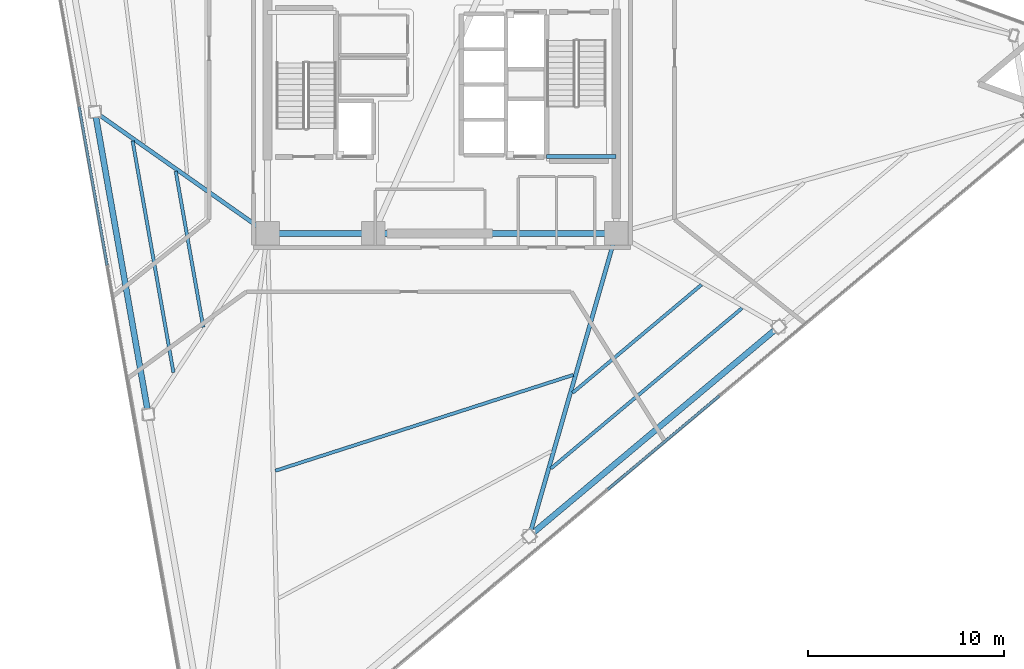
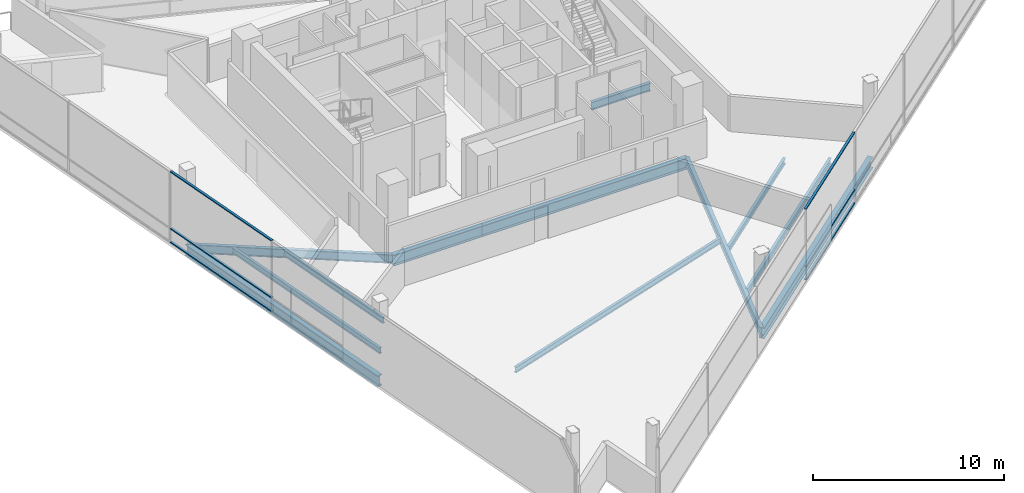
# One storey, part 3 of 15: 12 beams, 6 members, 2 elements without a shape of their own.
"""IFC4 building model written with IfcOpenShell, lengths in metres."""

from ifc_helpers import new_model, si_unit, direction, frame, origin, origin_2d, place, context, subcontext, project, spatial, rectangle, i_section, extrude, material, layer, layer_set, material_profile, profile_set, type_object, element, aggregate, save


model = new_model("IFC4")

# Units and contexts
model_context = context("Model", 3, precision=1e-05, world=origin(), true_north=direction((0.0, 1.0)))
body_context = subcontext(model_context, "Body", "Model", "MODEL_VIEW")
ifc_project = project(units=[si_unit("LENGTHUNIT", "METRE"), si_unit("AREAUNIT", "SQUARE_METRE"), si_unit("VOLUMEUNIT", "CUBIC_METRE"), si_unit("PLANEANGLEUNIT", "RADIAN"), si_unit("MASSUNIT", "GRAM", prefix="KILO")], contexts=[model_context])

# Site, building, storey
site_placement = place(None, origin())
site = spatial("IfcSite", under=ifc_project, at=site_placement, CompositionType="ELEMENT")
building_placement = place(site_placement, origin())
building = spatial("IfcBuilding", under=site, at=building_placement, Name="Tharavind Bronze Gate", CompositionType="ELEMENT")
storey_placement = place(building_placement, frame((0.0, 0.0, 192.10009765625)))
storey = spatial("IfcBuildingStorey", under=building, at=storey_placement, Name="L49", CompositionType="ELEMENT", Elevation=192.10009765625)

# Curtain wall, members
ifc_material_1 = material(Name="Anodised Bronze Aluminium", Category="aluminium")
ifc_layer = layer(ifc_material_1, 0.219970703125)
ifc_layer_set = layer_set([ifc_layer], Name="Anodised Bronze Aluminium")
curtain_wall_type = type_object("IfcCurtainWallType", Name="UNITISED CURTAIN WALL MID OFFICE", PredefinedType="USERDEFINED", material=ifc_layer_set)
curtain_wall_1_placement = place(storey_placement, origin())
curtain_wall_1 = element("IfcCurtainWall", 1, at=curtain_wall_1_placement, inside=storey, type_object=curtain_wall_type, Name="L49 unitised curtain wall mid office CW-L49-S1", ObjectType="UNITISED CURTAIN WALL", PredefinedType="USERDEFINED")
member_type = type_object("IfcMemberType", Name="CURTAIN WALL BRONZE TRANSOM 65X140", PredefinedType="USERDEFINED", material=ifc_material_1)
member_1_placement = place(storey_placement, frame((-17.80517578125, -5.177001953125, 0.0), z_axis=(0.0, 0.0, 1.0), x_axis=(0.173648177667, -0.984807753012, 0.0)))
member_1 = element("IfcMember", 2, at=member_1_placement, type_object=member_type, Name="CW-L49-S1 transom TB3", ObjectType="TRANSOM", PredefinedType="USERDEFINED", context=body_context, shape_type="SweptSolid", body=[
    extrude(rectangle(XDim=8.220458984375, YDim=0.139892578125, at=origin_2d()), origin(), (0.0, 0.0, 1.0), 0.06494140625),
])
member_2_placement = place(storey_placement, frame((-17.80517578125, -5.177001953125, 0.867431640625), z_axis=(0.0, 0.0, 1.0), x_axis=(0.173648177667, -0.984807753012, 0.0)))
member_2 = element("IfcMember", 3, at=member_2_placement, type_object=member_type, Name="CW-L49-S1 transom TS3", ObjectType="TRANSOM", PredefinedType="USERDEFINED", context=body_context, shape_type="SweptSolid", body=[
    extrude(rectangle(XDim=8.220458984375, YDim=0.139892578125, at=origin_2d()), origin(), (0.0, 0.0, 1.0), 0.06494140625),
])
member_3_placement = place(storey_placement, frame((-17.80517578125, -5.177001953125, 4.494873046875), z_axis=(0.0, 0.0, 1.0), x_axis=(0.173648177667, -0.984807753012, 0.0)))
member_3 = element("IfcMember", 4, at=member_3_placement, type_object=member_type, Name="CW-L49-S1 transom TT3", ObjectType="TRANSOM", PredefinedType="USERDEFINED", context=body_context, shape_type="SweptSolid", body=[
    extrude(rectangle(XDim=8.220458984375, YDim=0.139892578125, at=origin_2d()), origin(), (0.0, 0.0, 1.0), 0.06494140625),
])
aggregate(curtain_wall_1, [member_1, member_2, member_3])

curtain_wall_2_placement = place(storey_placement, origin())
curtain_wall_2 = element("IfcCurtainWall", 5, at=curtain_wall_2_placement, inside=storey, type_object=curtain_wall_type, Name="L49 unitised curtain wall mid office CW-L49-S2", ObjectType="UNITISED CURTAIN WALL", PredefinedType="USERDEFINED")
member_4_placement = place(storey_placement, frame((11.31298828125, -18.282470703125, 0.0), z_axis=(0.0, 0.0, 1.0), x_axis=(0.766043321242, 0.642788946685, 0.0)))
member_4 = element("IfcMember", 6, at=member_4_placement, type_object=member_type, Name="CW-L49-S2 transom TB4", ObjectType="TRANSOM", PredefinedType="USERDEFINED", context=body_context, shape_type="SweptSolid", body=[
    extrude(rectangle(XDim=7.443115234375, YDim=0.139892578125, at=origin_2d()), origin(), (0.0, 0.0, 1.0), 0.06494140625),
])
member_5_placement = place(storey_placement, frame((11.31298828125, -18.282470703125, 0.867431640625), z_axis=(0.0, 0.0, 1.0), x_axis=(0.766043321242, 0.642788946685, 0.0)))
member_5 = element("IfcMember", 7, at=member_5_placement, type_object=member_type, Name="CW-L49-S2 transom TS4", ObjectType="TRANSOM", PredefinedType="USERDEFINED", context=body_context, shape_type="SweptSolid", body=[
    extrude(rectangle(XDim=7.443115234375, YDim=0.139892578125, at=origin_2d()), origin(), (0.0, 0.0, 1.0), 0.06494140625),
])
member_6_placement = place(storey_placement, frame((11.31298828125, -18.282470703125, 4.494873046875), z_axis=(0.0, 0.0, 1.0), x_axis=(0.766043321242, 0.642788946685, 0.0)))
member_6 = element("IfcMember", 8, at=member_6_placement, type_object=member_type, Name="CW-L49-S2 transom TT4", ObjectType="TRANSOM", PredefinedType="USERDEFINED", context=body_context, shape_type="SweptSolid", body=[
    extrude(rectangle(XDim=7.443115234375, YDim=0.139892578125, at=origin_2d()), origin(), (0.0, 0.0, 1.0), 0.06494140625),
])
aggregate(curtain_wall_2, [member_4, member_5, member_6])

# Beams
ifc_material_2 = material(Name="Steel S355", Category="steel")
ifc_material_profile_1 = material_profile(ifc_material_2, i_section(OverallWidth=0.199951171875, OverallDepth=0.5, WebThickness=0.01025390625, FlangeThickness=0.01611328125, at=origin_2d()), Name="IPE500")
ifc_profile_set_1 = profile_set([ifc_material_profile_1], Name="Steel S355")
beam_type_1 = type_object("IfcBeamType", Name="PRIMARY GIRDER IPE500", PredefinedType="USERDEFINED", material=ifc_profile_set_1)
beam_1_placement = place(storey_placement, frame((5.35009765625, -3.679931640625, 1.9248046875), z_axis=(1.0, 0.0, 0.0), x_axis=(0.0, 1.0, 0.0)))
element("IfcBeam", 9, at=beam_1_placement, inside=storey, type_object=beam_type_1, Name="L49 primary girder ipe500 BM-LD-ST2-L49-1", ObjectType="GIRDER", PredefinedType="USERDEFINED", context=body_context, shape_type="SweptSolid", body=[
    extrude(i_section(OverallWidth=0.199951171875, OverallDepth=0.5, WebThickness=0.01025390625, FlangeThickness=0.01611328125, at=origin_2d()), origin(), (0.0, 0.0, 1.0), 3.5498046875),
])
ifc_material_profile_2 = material_profile(ifc_material_2, i_section(OverallWidth=0.2099609375, OverallDepth=0.550048828125, WebThickness=0.010986328125, FlangeThickness=0.01708984375, at=origin_2d()), Name="IPE550")
ifc_profile_set_2 = profile_set([ifc_material_profile_2], Name="Steel S355")
beam_type_2 = type_object("IfcBeamType", Name="PRIMARY GIRDER IPE550", PredefinedType="USERDEFINED", material=ifc_profile_set_2)
beam_2_placement = place(storey_placement, frame((-17.709716796875, -1.3994140625, -0.455078125), z_axis=(0.817754667857, -0.575566940675, 0.0), x_axis=(0.575566940675, 0.817754667857, 0.0)))
element("IfcBeam", 10, at=beam_2_placement, inside=storey, type_object=beam_type_2, Name="L49 primary girder ipe550 BM-L49-RAD02", ObjectType="GIRDER", PredefinedType="USERDEFINED", context=body_context, shape_type="SweptSolid", body=[
    extrude(i_section(OverallWidth=0.2099609375, OverallDepth=0.550048828125, WebThickness=0.010986328125, FlangeThickness=0.01708984375, at=origin_2d()), origin(), (0.0, 0.0, 1.0), 10.773193359375),
])
beam_3_placement = place(storey_placement, frame((4.46337890625, -23.05078125, -0.455078125), z_axis=(0.275988621834, 0.961160902564, 0.0), x_axis=(-0.961160902564, 0.275988621834, 0.0)))
element("IfcBeam", 11, at=beam_3_placement, inside=storey, type_object=beam_type_2, Name="L49 primary girder ipe550 BM-L49-RAD06", ObjectType="GIRDER", PredefinedType="USERDEFINED", context=body_context, shape_type="SweptSolid", body=[
    extrude(i_section(OverallWidth=0.2099609375, OverallDepth=0.550048828125, WebThickness=0.010986328125, FlangeThickness=0.01708984375, at=origin_2d()), origin(), (0.0, 0.0, 1.0), 16.074951171875),
])
ifc_material_profile_3 = material_profile(ifc_material_2, i_section(OverallWidth=0.300048828125, OverallDepth=0.699951171875, WebThickness=0.01708984375, FlangeThickness=0.031982421875, at=origin_2d()), Name="HE700B")
ifc_profile_set_3 = profile_set([ifc_material_profile_3], Name="Steel S355")
beam_type_3 = type_object("IfcBeamType", Name="RING GIRDER HE700B", PredefinedType="USERDEFINED", material=ifc_profile_set_3)
beam_4_placement = place(storey_placement, frame((-8.89990234375, -7.60009765625, -0.530029296875), z_axis=(1.0, 0.0, 0.0), x_axis=(0.0, 1.0, 0.0)))
element("IfcBeam", 12, at=beam_4_placement, inside=storey, type_object=beam_type_3, Name="L49 ring girder he700b BM-L49-CR1", ObjectType="GIRDER", PredefinedType="USERDEFINED", context=body_context, shape_type="SweptSolid", body=[
    extrude(i_section(OverallWidth=0.300048828125, OverallDepth=0.699951171875, WebThickness=0.01708984375, FlangeThickness=0.031982421875, at=origin_2d()), origin(), (0.0, 0.0, 1.0), 5.39990234375),
])
beam_5_placement = place(storey_placement, frame((-3.5, -7.60009765625, -0.530029296875), z_axis=(1.0, 0.0, 0.0), x_axis=(0.0, 1.0, 0.0)))
element("IfcBeam", 13, at=beam_5_placement, inside=storey, type_object=beam_type_3, Name="L49 ring girder he700b BM-L49-CR2", ObjectType="GIRDER", PredefinedType="USERDEFINED", context=body_context, shape_type="SweptSolid", body=[
    extrude(i_section(OverallWidth=0.300048828125, OverallDepth=0.699951171875, WebThickness=0.01708984375, FlangeThickness=0.031982421875, at=origin_2d()), origin(), (0.0, 0.0, 1.0), 12.39990234375),
])
beam_6_placement = place(storey_placement, frame((-17.709716796875, -1.3994140625, -0.530029296875), z_axis=(0.173647661488, -0.984807844028, 0.0), x_axis=(0.984807844028, 0.173647661488, 0.0)))
element("IfcBeam", 14, at=beam_6_placement, inside=storey, type_object=beam_type_3, Name="L49 ring girder he700b BM-L49-PRG02", ObjectType="GIRDER", PredefinedType="USERDEFINED", context=body_context, shape_type="SweptSolid", body=[
    extrude(i_section(OverallWidth=0.300048828125, OverallDepth=0.699951171875, WebThickness=0.01708984375, FlangeThickness=0.031982421875, at=origin_2d()), origin(), (0.0, 0.0, 1.0), 15.6806640625),
])
beam_7_placement = place(storey_placement, frame((4.46337890625, -23.05078125, -0.530029296875), z_axis=(0.766044110924, 0.642788005581, 0.0), x_axis=(-0.642788005581, 0.766044110924, 0.0)))
element("IfcBeam", 15, at=beam_7_placement, inside=storey, type_object=beam_type_3, Name="L49 ring girder he700b BM-L49-PRG06", ObjectType="GIRDER", PredefinedType="USERDEFINED", context=body_context, shape_type="SweptSolid", body=[
    extrude(i_section(OverallWidth=0.300048828125, OverallDepth=0.699951171875, WebThickness=0.01708984375, FlangeThickness=0.031982421875, at=origin_2d()), origin(), (0.0, 0.0, 1.0), 16.62451171875),
])
ifc_material_profile_4 = material_profile(ifc_material_2, i_section(OverallWidth=0.169921875, OverallDepth=0.360107421875, WebThickness=0.008056640625, FlangeThickness=0.0126953125, at=origin_2d()), Name="IPE360")
ifc_profile_set_4 = profile_set([ifc_material_profile_4], Name="Steel S355")
beam_type_4 = type_object("IfcBeamType", Name="SECONDARY FLOOR JOIST IPE360", PredefinedType="JOIST", material=ifc_profile_set_4)
beam_8_placement = place(storey_placement, frame((-13.586669921875, -4.43310546875, -0.360107421875), z_axis=(0.173657771601, -0.984806061295, 0.0), x_axis=(0.984806061295, 0.173657771601, 0.0)))
element("IfcBeam", 16, at=beam_8_placement, inside=storey, type_object=beam_type_4, Name="L49 secondary floor joist ipe360 BM-L49-JSTA02", PredefinedType="JOIST", context=body_context, shape_type="SweptSolid", body=[
    extrude(i_section(OverallWidth=0.169921875, OverallDepth=0.360107421875, WebThickness=0.008056640625, FlangeThickness=0.0126953125, at=origin_2d()), origin(), (0.0, 0.0, 1.0), 8.07958984375),
])
beam_9_placement = place(storey_placement, frame((-15.7890625, -2.883056640625, -0.360107421875), z_axis=(0.173653015137, -0.984806900023, 0.0), x_axis=(0.984806900023, 0.173653015137, 0.0)))
element("IfcBeam", 17, at=beam_9_placement, inside=storey, type_object=beam_type_4, Name="L49 secondary floor joist ipe360 BM-L49-JSTB02", PredefinedType="JOIST", context=body_context, shape_type="SweptSolid", body=[
    extrude(i_section(OverallWidth=0.169921875, OverallDepth=0.360107421875, WebThickness=0.008056640625, FlangeThickness=0.0126953125, at=origin_2d()), origin(), (0.0, 0.0, 1.0), 11.99951171875),
])
beam_10_placement = place(storey_placement, frame((-8.5, -19.718994140625, -0.360107421875), z_axis=(0.951947780182, 0.306260385629, 0.0), x_axis=(-0.306260385629, 0.951947780182, 0.0)))
element("IfcBeam", 18, at=beam_10_placement, inside=storey, type_object=beam_type_4, Name="L49 secondary floor joist ipe360 BM-L49-JSTA05", PredefinedType="JOIST", context=body_context, shape_type="SweptSolid", body=[
    extrude(i_section(OverallWidth=0.169921875, OverallDepth=0.360107421875, WebThickness=0.008056640625, FlangeThickness=0.0126953125, at=origin_2d()), origin(), (0.0, 0.0, 1.0), 15.980712890625),
])
beam_11_placement = place(storey_placement, frame((6.67333984375, -15.742919921875, -0.360107421875), z_axis=(0.766044754816, 0.64278723822, 0.0), x_axis=(-0.64278723822, 0.766044754816, 0.0)))
element("IfcBeam", 19, at=beam_11_placement, inside=storey, type_object=beam_type_4, Name="L49 secondary floor joist ipe360 BM-L49-JSTA06", PredefinedType="JOIST", context=body_context, shape_type="SweptSolid", body=[
    extrude(i_section(OverallWidth=0.169921875, OverallDepth=0.360107421875, WebThickness=0.008056640625, FlangeThickness=0.0126953125, at=origin_2d()), origin(), (0.0, 0.0, 1.0), 8.58642578125),
])
beam_12_placement = place(storey_placement, frame((5.564208984375, -19.605712890625, -0.360107421875), z_axis=(0.766041806797, 0.64279075152, 0.0), x_axis=(-0.64279075152, 0.766041806797, 0.0)))
element("IfcBeam", 20, at=beam_12_placement, inside=storey, type_object=beam_type_4, Name="L49 secondary floor joist ipe360 BM-L49-JSTB06", PredefinedType="JOIST", context=body_context, shape_type="SweptSolid", body=[
    extrude(i_section(OverallWidth=0.169921875, OverallDepth=0.360107421875, WebThickness=0.008056640625, FlangeThickness=0.0126953125, at=origin_2d()), origin(), (0.0, 0.0, 1.0), 12.74267578125),
])

save(model, "model.ifc")
